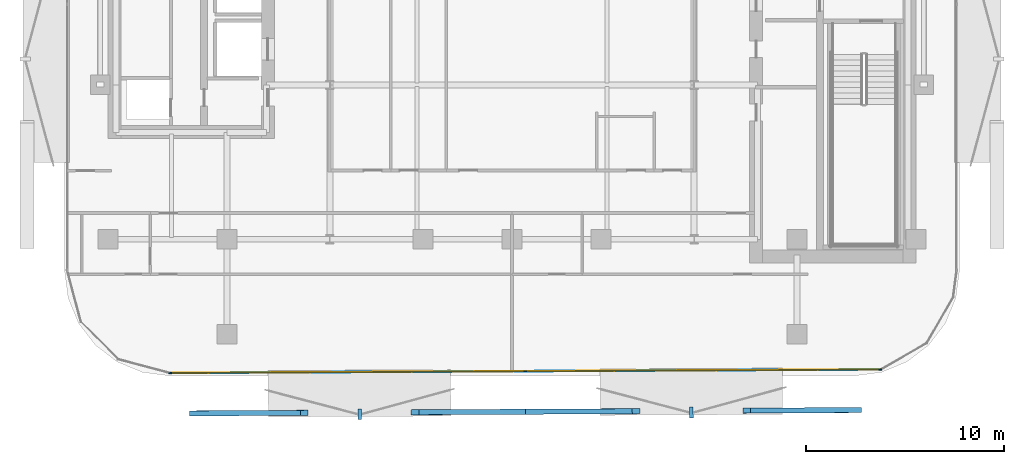
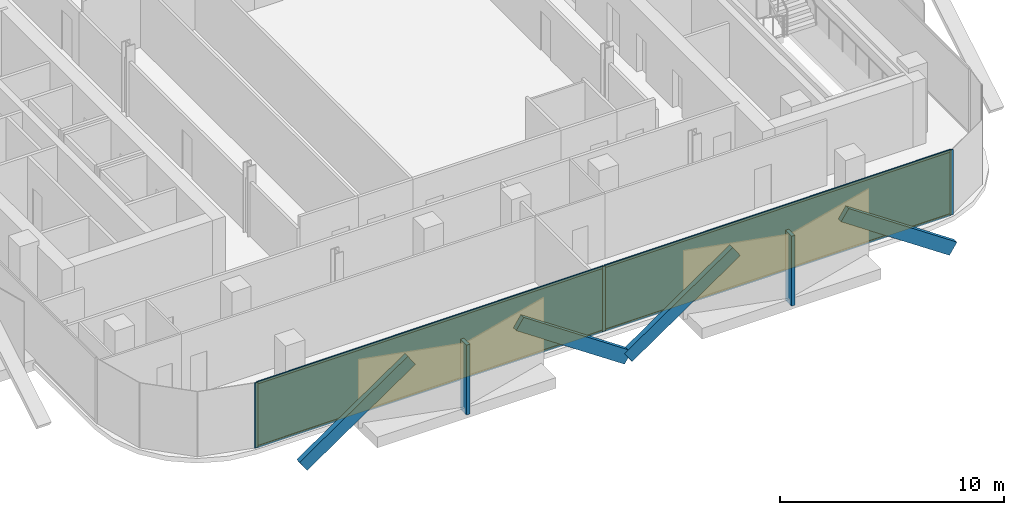
# One storey, part 8 of 16: 13 members, 2 plates, 1 curtain wall.
"""IFC4 building model written with IfcOpenShell, lengths in metres."""

from ifc_helpers import new_model, si_unit, direction, frame, frame_2d, origin, origin_2d, place, context, subcontext, project, spatial, rectangle, extrude, material, layer, layer_set, material_profile, profile_set, type_object, element, aggregate, save


model = new_model("IFC4")

# Units and contexts
model_context = context("Model", 3, precision=1e-05, world=origin(), true_north=direction((0.0, 1.0)))
body_context = subcontext(model_context, "Body", "Model", "MODEL_VIEW")
ifc_project = project(units=[si_unit("LENGTHUNIT", "METRE"), si_unit("AREAUNIT", "SQUARE_METRE"), si_unit("VOLUMEUNIT", "CUBIC_METRE"), si_unit("PLANEANGLEUNIT", "RADIAN"), si_unit("MASSUNIT", "GRAM", prefix="KILO")], contexts=[model_context])

# Member
ifc_material_1 = material(Name="Anodised Bronze Aluminium 6063-T6", Category="aluminium")
ifc_material_profile_1 = material_profile(ifc_material_1, rectangle(XDim=0.260009765625, YDim=0.699951171875, at=origin_2d()))
ifc_profile_set_1 = profile_set([ifc_material_profile_1], Name="Anodised Bronze Aluminium 6063-T6")
member_type_1 = type_object("IfcMemberType", Name="Bronze Diamond Solar-Screen Lattice Rib BDL-700", PredefinedType="MULLION", material=ifc_profile_set_1)
site_placement = place(None, origin())
building_placement = place(site_placement, origin())
storey_placement = place(building_placement, frame((0.0, 0.0, 206.800048828125)))
member_1_placement = place(storey_placement, frame((17.4453125, -27.22900390625, -0.130126953125), z_axis=(-0.826888819371, -0.004046469514, 0.562350874885), x_axis=(-0.007641611663, 0.999962637455, -0.004040973385)))
member_1 = element("IfcMember", 1, at=member_1_placement, type_object=member_type_1, Name="L48 Bronze Diamond Solar Screen Lattice Rib 321A", PredefinedType="MULLION", context=body_context, shape_type="SweptSolid", body=[
    extrude(rectangle(XDim=0.260009765625, YDim=0.699951171875, at=origin_2d()), origin(), (0.0, 0.0, 1.0), 6.75732421875),
])

member_2_placement = place(storey_placement, frame((0.682373046875, -27.3115234375, -0.130126953125), z_axis=(0.826888697943, 0.004082598107, 0.562350792305), x_axis=(0.00768530149, -0.999962302626, -0.00404097366)))
member_2 = element("IfcMember", 2, at=member_2_placement, type_object=member_type_1, Name="L48 Bronze Diamond Solar Screen Lattice Rib 321B", PredefinedType="MULLION", context=body_context, shape_type="SweptSolid", body=[
    extrude(rectangle(XDim=0.260009765625, YDim=0.699951171875, at=origin_2d()), origin(), (0.0, 0.0, 1.0), 6.75732421875),
])

member_3_placement = place(storey_placement, frame((0.682373046875, -27.3115234375, -0.130126953125), z_axis=(-0.82690012347, -0.004082476143, 0.562333992564), x_axis=(-0.00768500369, 0.999962304689, -0.004041029491)))
member_3 = element("IfcMember", 3, at=member_3_placement, type_object=member_type_1, Name="L48 Bronze Diamond Solar Screen Lattice Rib 322A", PredefinedType="MULLION", context=body_context, shape_type="SweptSolid", body=[
    extrude(rectangle(XDim=0.260009765625, YDim=0.699951171875, at=origin_2d()), origin(), (0.0, 0.0, 1.0), 6.757568359375),
])

member_4_placement = place(storey_placement, frame((-16.080810546875, -27.39404296875, -0.130126953125), z_axis=(0.826888697943, 0.004082598107, 0.562350792305), x_axis=(0.00768530149, -0.999962302626, -0.00404097366)))
member_4 = element("IfcMember", 4, at=member_4_placement, type_object=member_type_1, Name="L48 Bronze Diamond Solar Screen Lattice Rib 322B", PredefinedType="MULLION", context=body_context, shape_type="SweptSolid", body=[
    extrude(rectangle(XDim=0.260009765625, YDim=0.699951171875, at=origin_2d()), origin(), (0.0, 0.0, 1.0), 6.75732421875),
])

ifc_material_2 = material(Name="Anodised Bronze Aluminium 6063-T6", Category="aluminium")
ifc_material_profile_2 = material_profile(ifc_material_2, rectangle(XDim=0.179931640625, YDim=0.5400390625, at=origin_2d()))
ifc_profile_set_2 = profile_set([ifc_material_profile_2], Name="Anodised Bronze Aluminium 6063-T6")
member_type_2 = type_object("IfcMemberType", Name="Bronze Solar-Screen Vertical Fold Fin BSF-540", PredefinedType="MULLION", material=ifc_profile_set_2)
member_5_placement = place(storey_placement, frame((9.064208984375, -27.35009765625, -0.130126953125), z_axis=(0.0, 0.0, 1.0), x_axis=(-0.999988059021, -0.004886902454, 0.0)))
member_5 = element("IfcMember", 5, at=member_5_placement, type_object=member_type_2, Name="L48 Bronze Solar Screen Vertical Fin 321", PredefinedType="MULLION", context=body_context, shape_type="SweptSolid", body=[
    extrude(rectangle(XDim=0.179931640625, YDim=0.5400390625, at=origin_2d()), origin(), (0.0, 0.0, 1.0), 3.800048828125),
])

member_6_placement = place(storey_placement, frame((-7.698974609375, -27.432861328125, -0.130126953125), z_axis=(0.0, 0.0, 1.0), x_axis=(-0.999988059021, -0.004886902454, 0.0)))
member_6 = element("IfcMember", 6, at=member_6_placement, type_object=member_type_2, Name="L48 Bronze Solar Screen Vertical Fin 322", PredefinedType="MULLION", context=body_context, shape_type="SweptSolid", body=[
    extrude(rectangle(XDim=0.179931640625, YDim=0.5400390625, at=origin_2d()), origin(), (0.0, 0.0, 1.0), 3.800048828125),
])

ifc_material_3 = material(Name="Anodised Bronze Aluminium 6063-T6", Category="aluminium")
ifc_material_profile_3 = material_profile(ifc_material_3, rectangle(XDim=0.06005859375, YDim=0.1650390625, at=origin_2d()))
ifc_profile_set_3 = profile_set([ifc_material_profile_3], Name="Anodised Bronze Aluminium 6063-T6")
member_type_3 = type_object("IfcMemberType", Name="CW-Z3 Mullion 60x165", PredefinedType="MULLION", material=ifc_profile_set_3)
member_7_placement = place(storey_placement, frame((18.605224609375, -25.18310546875, 0.0), z_axis=(0.0, 0.0, 1.0), x_axis=(0.004926734175, -0.999987863572, 0.0)))
member_7 = element("IfcMember", 7, at=member_7_placement, type_object=member_type_3, Name="CW-Z3 mullion 1", PredefinedType="MULLION", context=body_context, shape_type="SweptSolid", body=[
    extrude(rectangle(XDim=0.06005859375, YDim=0.1650390625, at=origin_2d()), origin(), (0.0, 0.0, 1.0), 3.5400390625),
])

member_8_placement = place(storey_placement, frame((0.672119140625, -25.271484375, 0.0), z_axis=(0.0, 0.0, 1.0), x_axis=(0.004926734175, -0.999987863572, 0.0)))
member_8 = element("IfcMember", 8, at=member_8_placement, type_object=member_type_3, Name="CW-Z3 mullion 2", PredefinedType="MULLION", context=body_context, shape_type="SweptSolid", body=[
    extrude(rectangle(XDim=0.06005859375, YDim=0.1650390625, at=origin_2d()), origin(), (0.0, 0.0, 1.0), 3.5400390625),
])

member_9_placement = place(storey_placement, frame((-17.2607421875, -25.35986328125, 0.0), z_axis=(0.0, 0.0, 1.0), x_axis=(0.004926734175, -0.999987863572, 0.0)))
member_9 = element("IfcMember", 9, at=member_9_placement, type_object=member_type_3, Name="CW-Z3 mullion 3", PredefinedType="MULLION", context=body_context, shape_type="SweptSolid", body=[
    extrude(rectangle(XDim=0.06005859375, YDim=0.1650390625, at=origin_2d()), origin(), (0.0, 0.0, 1.0), 3.5400390625),
])

ifc_material_4 = material(Name="Anodised Bronze Aluminium 6063-T6", Category="aluminium")
ifc_material_profile_4 = material_profile(ifc_material_4, rectangle(XDim=0.06005859375, YDim=0.1298828125, at=origin_2d()))
ifc_profile_set_4 = profile_set([ifc_material_profile_4], Name="Anodised Bronze Aluminium 6063-T6")
member_type_4 = type_object("IfcMemberType", Name="CW-Z3 Transom 60x130", PredefinedType="USERDEFINED", material=ifc_profile_set_4)
member_10_placement = place(storey_placement, frame((18.5751953125, -25.183349609375, 0.030029296875), z_axis=(-0.999987909339, -0.0049174359, 0.0), x_axis=(0.0049174359, -0.999987909339, 0.0)))
member_10 = element("IfcMember", 10, at=member_10_placement, type_object=member_type_4, Name="CW-Z3 transom 1.1", ObjectType="TRANSOM", PredefinedType="USERDEFINED", context=body_context, shape_type="SweptSolid", body=[
    extrude(rectangle(XDim=0.06005859375, YDim=0.1298828125, at=origin_2d()), origin(), (0.0, 0.0, 1.0), 17.873291015625),
])

member_11_placement = place(storey_placement, frame((18.5751953125, -25.183349609375, 3.510009765625), z_axis=(-0.999987909339, -0.0049174359, 0.0), x_axis=(0.0049174359, -0.999987909339, 0.0)))
member_11 = element("IfcMember", 11, at=member_11_placement, type_object=member_type_4, Name="CW-Z3 transom 1.2", ObjectType="TRANSOM", PredefinedType="USERDEFINED", context=body_context, shape_type="SweptSolid", body=[
    extrude(rectangle(XDim=0.06005859375, YDim=0.1298828125, at=origin_2d()), origin(), (0.0, 0.0, 1.0), 17.873291015625),
])

member_12_placement = place(storey_placement, frame((0.64208984375, -25.271728515625, 0.030029296875), z_axis=(-0.999987909009, -0.00491750307, 0.0), x_axis=(0.00491750307, -0.999987909009, 0.0)))
member_12 = element("IfcMember", 12, at=member_12_placement, type_object=member_type_4, Name="CW-Z3 transom 2.1", ObjectType="TRANSOM", PredefinedType="USERDEFINED", context=body_context, shape_type="SweptSolid", body=[
    extrude(rectangle(XDim=0.06005859375, YDim=0.1298828125, at=origin_2d()), origin(), (0.0, 0.0, 1.0), 17.873046875),
])

member_13_placement = place(storey_placement, frame((0.64208984375, -25.271728515625, 3.510009765625), z_axis=(-0.999987909009, -0.00491750307, 0.0), x_axis=(0.00491750307, -0.999987909009, 0.0)))
member_13 = element("IfcMember", 13, at=member_13_placement, type_object=member_type_4, Name="CW-Z3 transom 2.2", ObjectType="TRANSOM", PredefinedType="USERDEFINED", context=body_context, shape_type="SweptSolid", body=[
    extrude(rectangle(XDim=0.06005859375, YDim=0.1298828125, at=origin_2d()), origin(), (0.0, 0.0, 1.0), 17.873046875),
])

# Plate
ifc_material_5 = material(Name="Low-E Solar Control Laminated Glass", Category="glass")
ifc_layer_1 = layer(ifc_material_5, 0.030029296875, Name="Low-E Solar Control Laminated Glass")
ifc_layer_set_1 = layer_set([ifc_layer_1], Name="Low-E Solar Control Laminated Glass")
plate_type = type_object("IfcPlateType", Name="CW-Z3 Low-E Double Glazed Panel 30mm", PredefinedType="CURTAIN_PANEL", material=ifc_layer_set_1)
plate_1_placement = place(storey_placement, frame((9.638671875, -25.227294921875, 0.06005859375), z_axis=(0.0, 0.0, 1.0), x_axis=(-0.999987863572, -0.004926734175, 0.0)))
plate_1 = element("IfcPlate", 14, at=plate_1_placement, type_object=plate_type, Name="CW-Z3 panel 1.1", PredefinedType="CURTAIN_PANEL", context=body_context, shape_type="SweptSolid", body=[
    extrude(rectangle(XDim=17.873291015625, YDim=0.030029296875, at=origin_2d()), origin(), (0.0, 0.0, 1.0), 3.419921875),
])

plate_2_placement = place(storey_placement, frame((-8.294189453125, -25.315673828125, 0.06005859375), z_axis=(0.0, 0.0, 1.0), x_axis=(-0.999987863572, -0.004926734175, 0.0)))
plate_2 = element("IfcPlate", 15, at=plate_2_placement, type_object=plate_type, Name="CW-Z3 panel 2.1", PredefinedType="CURTAIN_PANEL", context=body_context, shape_type="SweptSolid", body=[
    extrude(rectangle(XDim=17.873291015625, YDim=0.030029296875, at=origin_2d()), origin(), (0.0, 0.0, 1.0), 3.419921875),
])

# Site, building, storey
site = spatial("IfcSite", under=ifc_project, at=site_placement, CompositionType="ELEMENT")
building = spatial("IfcBuilding", under=site, at=building_placement, Name="Khairoan Windgate Tower", CompositionType="ELEMENT")
storey = spatial("IfcBuildingStorey", under=building, at=storey_placement, Name="L48", CompositionType="ELEMENT", Elevation=206.800048828125)

# Curtain wall
ifc_material_6 = material(Name="Anodised Bronze Aluminium 6063-T6", Category="aluminium")
ifc_layer_2 = layer(ifc_material_6, 0.1650390625, Name="Anodised Bronze Aluminium 6063-T6")
ifc_layer_set_2 = layer_set([ifc_layer_2], Name="Anodised Bronze Aluminium 6063-T6")
curtain_wall_type = type_object("IfcCurtainWallType", Name="Luxury Hotel Acoustic Curtain Wall CW-Z3", PredefinedType="NOTDEFINED", material=ifc_layer_set_2)
curtain_wall_placement = place(storey_placement, frame((18.63525390625, -25.18310546875, 0.0), z_axis=(0.0, 0.0, 1.0), x_axis=(-0.999987863321, -0.004926785053, 0.0)))
curtain_wall = element("IfcCurtainWall", 16, at=curtain_wall_placement, inside=storey, type_object=curtain_wall_type, Name="L48 Unitised Curtain Wall 1", PredefinedType="NOTDEFINED", context=body_context, shape_type="SweptSolid", body=[
    extrude(rectangle(XDim=35.926513671875, YDim=0.010009765625, at=frame_2d((17.96337890625, 0.0))), origin(), (0.0, 0.0, 1.0), 3.5400390625),
])

aggregate(curtain_wall, [member_7, member_8, member_9, member_10, member_11, plate_1, member_12, member_13, plate_2, member_1, member_2, member_5, member_3, member_4, member_6])

save(model, "model.ifc")
